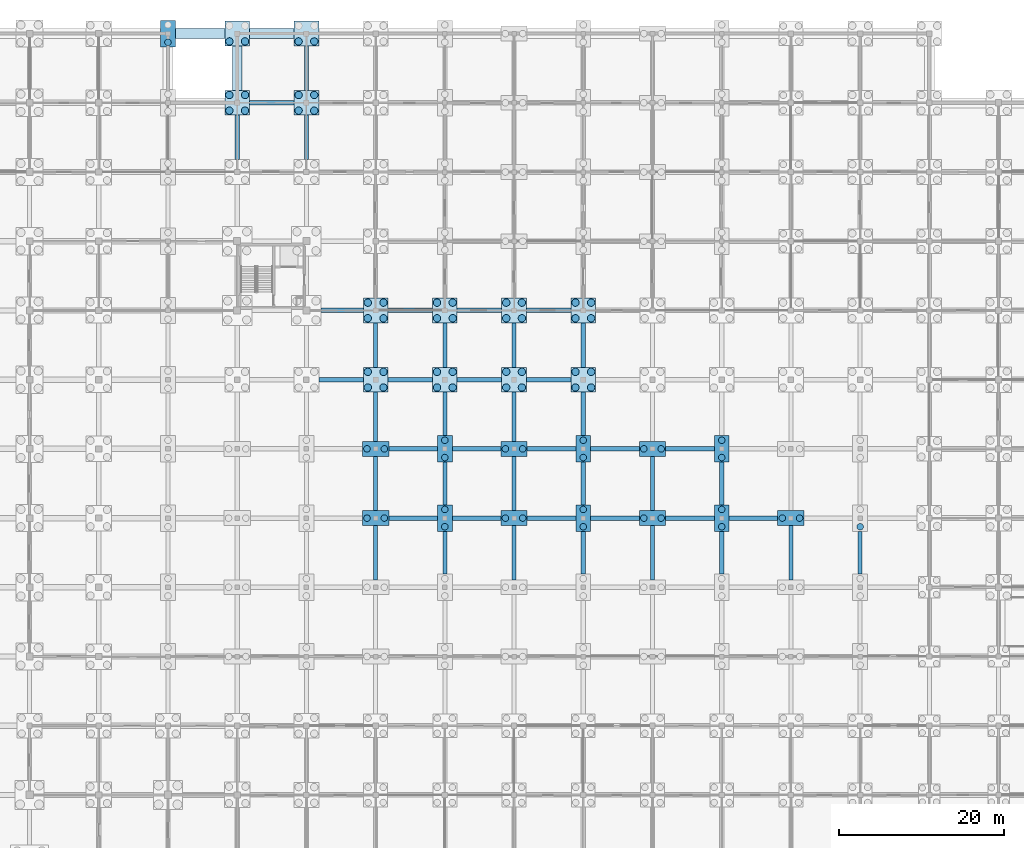
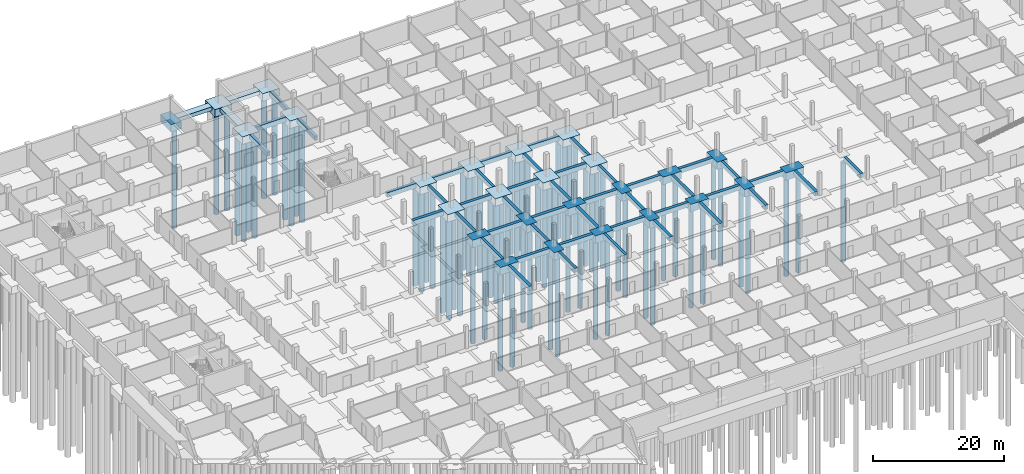
# One storey, part 9 of 43: 74 footings, 72 piles.
"""IFC4 building model written with IfcOpenShell, lengths in metres."""

from ifc_helpers import new_model, si_unit, direction, frame, origin, origin_2d, place, context, subcontext, project, spatial, rectangle, circle, extrude, material, material_profile, profile_set, type_object, element, save


model = new_model("IFC4")

# Units and contexts
model_context = context("Model", 3, precision=1e-05, world=origin(), true_north=direction((0.0, 1.0)))
body_context = subcontext(model_context, "Body", "Model", "MODEL_VIEW")
ifc_project = project(units=[si_unit("LENGTHUNIT", "METRE"), si_unit("AREAUNIT", "SQUARE_METRE"), si_unit("VOLUMEUNIT", "CUBIC_METRE"), si_unit("PLANEANGLEUNIT", "RADIAN"), si_unit("MASSUNIT", "GRAM", prefix="KILO")], contexts=[model_context])

# Site, building, storey
site_placement = place(None, origin())
site = spatial("IfcSite", under=ifc_project, at=site_placement, CompositionType="ELEMENT")
building_placement = place(site_placement, origin())
building = spatial("IfcBuilding", under=site, at=building_placement, Name="Varnapada Polytechnic", CompositionType="ELEMENT")
storey_placement = place(building_placement, frame((0.0, 0.0, -4.199951171875)))
storey = spatial("IfcBuildingStorey", under=building, at=storey_placement, Name="B1", CompositionType="ELEMENT", Elevation=-4.199951171875)

# Piles
ifc_material = material(Name="Concrete C40/50", Category="concrete")
ifc_material_profile_1 = material_profile(ifc_material, circle(Radius=0.39990234375, at=origin_2d()), Name="BP 800")
ifc_profile_set_1 = profile_set([ifc_material_profile_1], Name="Concrete C40/50")
pile_type_1 = type_object("IfcPileType", Name="Bored Pile BP 800", PredefinedType="BORED", material=ifc_profile_set_1)
for number, where, z_axis, x_axis, name in (
    (1, (42.0, 124.949951171875, -1.300048828125), (0.0, 0.0, -1.0), (1.0, 0.0, 0.0), "Bored pile P-03 under CAP-05-15 (1)"),
    (2, (66.14990234375, 67.199951171875, -1.300048828125), (0.0, 0.0, -1.0), (1.0, 0.0, 0.0), "Bored pile P-03 under CAP-08-08 (1)"),
    (3, (68.25, 67.199951171875, -1.300048828125), (0.0, 0.0, -1.0), (1.0, 0.0, 0.0), "Bored pile P-03 under CAP-08-08 (2)"),
    (4, (66.14990234375, 75.60009765625, -1.300048828125), (0.0, 0.0, -1.0), (1.0, 0.0, 0.0), "Bored pile P-03 under CAP-08-09 (1)"),
    (5, (68.25, 75.60009765625, -1.300048828125), (0.0, 0.0, -1.0), (1.0, 0.0, 0.0), "Bored pile P-03 under CAP-08-09 (2)"),
    (6, (75.60009765625, 66.14990234375, -1.300048828125), (0.0, 0.0, -1.0), (1.0, 0.0, 0.0), "Bored pile P-03 under CAP-09-08 (1)"),
    (7, (75.60009765625, 68.25, -1.300048828125), (0.0, 0.0, -1.0), (1.0, 0.0, 0.0), "Bored pile P-03 under CAP-09-08 (2)"),
    (8, (75.60009765625, 74.550048828125, -1.300048828125), (0.0, 0.0, -1.0), (1.0, 0.0, 0.0), "Bored pile P-03 under CAP-09-09 (1)"),
    (9, (75.60009765625, 76.64990234375, -1.300048828125), (0.0, 0.0, -1.0), (1.0, 0.0, 0.0), "Bored pile P-03 under CAP-09-09 (2)"),
    (10, (82.949951171875, 67.199951171875, -1.300048828125), (0.0, 0.0, -1.0), (1.0, 0.0, 0.0), "Bored pile P-03 under CAP-10-08 (1)"),
    (11, (85.050048828125, 67.199951171875, -1.300048828125), (0.0, 0.0, -1.0), (1.0, 0.0, 0.0), "Bored pile P-03 under CAP-10-08 (2)"),
    (12, (82.949951171875, 75.60009765625, -1.300048828125), (0.0, 0.0, -1.0), (1.0, 0.0, 0.0), "Bored pile P-03 under CAP-10-09 (1)"),
    (13, (85.050048828125, 75.60009765625, -1.300048828125), (0.0, 0.0, -1.0), (1.0, 0.0, 0.0), "Bored pile P-03 under CAP-10-09 (2)"),
    (14, (92.39990234375, 66.14990234375, -1.300048828125), (0.0, 0.0, -1.0), (1.0, 0.0, 0.0), "Bored pile P-03 under CAP-11-08 (1)"),
    (15, (92.39990234375, 68.25, -1.300048828125), (0.0, 0.0, -1.0), (1.0, 0.0, 0.0), "Bored pile P-03 under CAP-11-08 (2)"),
    (16, (92.39990234375, 74.550048828125, -1.300048828125), (0.0, 0.0, -1.0), (1.0, 0.0, 0.0), "Bored pile P-03 under CAP-11-09 (1)"),
    (17, (92.39990234375, 76.64990234375, -1.300048828125), (0.0, 0.0, -1.0), (1.0, 0.0, 0.0), "Bored pile P-03 under CAP-11-09 (2)"),
    (18, (99.75, 67.199951171875, -1.300048828125), (0.0, 0.0, -1.0), (1.0, 0.0, 0.0), "Bored pile P-03 under CAP-12-08 (1)"),
    (19, (101.85009765625, 67.199951171875, -1.300048828125), (0.0, 0.0, -1.0), (1.0, 0.0, 0.0), "Bored pile P-03 under CAP-12-08 (2)"),
    (20, (99.75, 75.60009765625, -1.300048828125), (0.0, 0.0, -1.0), (1.0, 0.0, 0.0), "Bored pile P-03 under CAP-12-09 (1)"),
    (21, (101.85009765625, 75.60009765625, -1.300048828125), (0.0, 0.0, -1.0), (1.0, 0.0, 0.0), "Bored pile P-03 under CAP-12-09 (2)"),
    (22, (109.199951171875, 66.14990234375, -1.300048828125), (0.0, 0.0, -1.0), (1.0, 0.0, 0.0), "Bored pile P-03 under CAP-13-08 (1)"),
    (23, (109.199951171875, 68.25, -1.300048828125), (0.0, 0.0, -1.0), (1.0, 0.0, 0.0), "Bored pile P-03 under CAP-13-08 (2)"),
    (24, (109.199951171875, 74.550048828125, -1.300048828125), (0.0, 0.0, -1.0), (1.0, 0.0, 0.0), "Bored pile P-03 under CAP-13-09 (1)"),
    (25, (109.199951171875, 76.64990234375, -1.300048828125), (0.0, 0.0, -1.0), (1.0, 0.0, 0.0), "Bored pile P-03 under CAP-13-09 (2)"),
    (26, (116.550048828125, 67.199951171875, -1.300048828125), (0.0, 0.0, -1.0), (1.0, 0.0, 0.0), "Bored pile P-03 under CAP-14-08 (1)"),
    (27, (118.64990234375, 67.199951171875, -1.300048828125), (0.0, 0.0, -1.0), (1.0, 0.0, 0.0), "Bored pile P-03 under CAP-14-08 (2)"),
    (28, (126.0, 66.14990234375, -1.300048828125), (0.0, 0.0, -1.0), (1.0, 0.0, 0.0), "Bored pile P-03 under CAP-15-08 (1)"),
):
    element("IfcPile", number, at=place(storey_placement, frame(where, z_axis=z_axis, x_axis=x_axis)), inside=storey, type_object=pile_type_1, Name=name, PredefinedType="BORED", context=body_context, shape_type="SweptSolid", body=[
        extrude(circle(Radius=0.39990234375, at=origin_2d()), origin(), (0.0, 0.0, 1.0), 18.5),
    ])
ifc_material_profile_2 = material_profile(ifc_material, circle(Radius=0.449951171875, at=origin_2d()), Name="BP 900")
ifc_profile_set_2 = profile_set([ifc_material_profile_2], Name="Concrete C40/50")
pile_type_2 = type_object("IfcPileType", Name="Bored Pile BP 900", PredefinedType="BORED", material=ifc_profile_set_2)
for number, where, z_axis, x_axis, name in (
    (29, (49.449951171875, 116.64990234375, -1.300048828125), (0.0, 0.0, -1.0), (1.0, 0.0, 0.0), "Bored pile P-02 under CAP-06-14 (1)"),
    (30, (51.35009765625, 116.64990234375, -1.300048828125), (0.0, 0.0, -1.0), (1.0, 0.0, 0.0), "Bored pile P-02 under CAP-06-14 (2)"),
    (31, (49.449951171875, 118.550048828125, -1.300048828125), (0.0, 0.0, -1.0), (1.0, 0.0, 0.0), "Bored pile P-02 under CAP-06-14 (3)"),
    (32, (51.35009765625, 118.550048828125, -1.300048828125), (0.0, 0.0, -1.0), (1.0, 0.0, 0.0), "Bored pile P-02 under CAP-06-14 (4)"),
    (33, (49.449951171875, 125.050048828125, -1.300048828125), (0.0, 0.0, -1.0), (1.0, 0.0, 0.0), "Bored pile P-02 under CAP-06-15 (1)"),
    (34, (51.35009765625, 125.050048828125, -1.300048828125), (0.0, 0.0, -1.0), (1.0, 0.0, 0.0), "Bored pile P-02 under CAP-06-15 (2)"),
    (35, (57.85009765625, 116.64990234375, -1.300048828125), (0.0, 0.0, -1.0), (1.0, 0.0, 0.0), "Bored pile P-02 under CAP-07-14 (1)"),
    (36, (59.75, 116.64990234375, -1.300048828125), (0.0, 0.0, -1.0), (1.0, 0.0, 0.0), "Bored pile P-02 under CAP-07-14 (2)"),
    (37, (57.85009765625, 118.550048828125, -1.300048828125), (0.0, 0.0, -1.0), (1.0, 0.0, 0.0), "Bored pile P-02 under CAP-07-14 (3)"),
    (38, (59.75, 118.550048828125, -1.300048828125), (0.0, 0.0, -1.0), (1.0, 0.0, 0.0), "Bored pile P-02 under CAP-07-14 (4)"),
    (39, (57.85009765625, 125.050048828125, -1.300048828125), (0.0, 0.0, -1.0), (1.0, 0.0, 0.0), "Bored pile P-02 under CAP-07-15 (1)"),
    (40, (59.75, 125.050048828125, -1.300048828125), (0.0, 0.0, -1.0), (1.0, 0.0, 0.0), "Bored pile P-02 under CAP-07-15 (2)"),
    (41, (66.25, 83.050048828125, -1.300048828125), (0.0, 0.0, -1.0), (1.0, 0.0, 0.0), "Bored pile P-02 under CAP-08-10 (1)"),
    (42, (68.14990234375, 83.050048828125, -1.300048828125), (0.0, 0.0, -1.0), (1.0, 0.0, 0.0), "Bored pile P-02 under CAP-08-10 (2)"),
    (43, (66.25, 84.949951171875, -1.300048828125), (0.0, 0.0, -1.0), (1.0, 0.0, 0.0), "Bored pile P-02 under CAP-08-10 (3)"),
    (44, (68.14990234375, 84.949951171875, -1.300048828125), (0.0, 0.0, -1.0), (1.0, 0.0, 0.0), "Bored pile P-02 under CAP-08-10 (4)"),
    (45, (66.25, 91.449951171875, -1.300048828125), (0.0, 0.0, -1.0), (1.0, 0.0, 0.0), "Bored pile P-02 under CAP-08-11 (1)"),
    (46, (68.14990234375, 91.449951171875, -1.300048828125), (0.0, 0.0, -1.0), (1.0, 0.0, 0.0), "Bored pile P-02 under CAP-08-11 (2)"),
    (47, (66.25, 93.35009765625, -1.300048828125), (0.0, 0.0, -1.0), (1.0, 0.0, 0.0), "Bored pile P-02 under CAP-08-11 (3)"),
    (48, (68.14990234375, 93.35009765625, -1.300048828125), (0.0, 0.0, -1.0), (1.0, 0.0, 0.0), "Bored pile P-02 under CAP-08-11 (4)"),
    (49, (74.64990234375, 83.050048828125, -1.300048828125), (0.0, 0.0, -1.0), (1.0, 0.0, 0.0), "Bored pile P-02 under CAP-09-10 (1)"),
    (50, (76.550048828125, 83.050048828125, -1.300048828125), (0.0, 0.0, -1.0), (1.0, 0.0, 0.0), "Bored pile P-02 under CAP-09-10 (2)"),
    (51, (74.64990234375, 84.949951171875, -1.300048828125), (0.0, 0.0, -1.0), (1.0, 0.0, 0.0), "Bored pile P-02 under CAP-09-10 (3)"),
    (52, (76.550048828125, 84.949951171875, -1.300048828125), (0.0, 0.0, -1.0), (1.0, 0.0, 0.0), "Bored pile P-02 under CAP-09-10 (4)"),
    (53, (74.64990234375, 91.449951171875, -1.300048828125), (0.0, 0.0, -1.0), (1.0, 0.0, 0.0), "Bored pile P-02 under CAP-09-11 (1)"),
    (54, (76.550048828125, 91.449951171875, -1.300048828125), (0.0, 0.0, -1.0), (1.0, 0.0, 0.0), "Bored pile P-02 under CAP-09-11 (2)"),
    (55, (74.64990234375, 93.35009765625, -1.300048828125), (0.0, 0.0, -1.0), (1.0, 0.0, 0.0), "Bored pile P-02 under CAP-09-11 (3)"),
    (56, (76.550048828125, 93.35009765625, -1.300048828125), (0.0, 0.0, -1.0), (1.0, 0.0, 0.0), "Bored pile P-02 under CAP-09-11 (4)"),
    (57, (83.050048828125, 83.050048828125, -1.300048828125), (0.0, 0.0, -1.0), (1.0, 0.0, 0.0), "Bored pile P-02 under CAP-10-10 (1)"),
    (58, (84.949951171875, 83.050048828125, -1.300048828125), (0.0, 0.0, -1.0), (1.0, 0.0, 0.0), "Bored pile P-02 under CAP-10-10 (2)"),
    (59, (83.050048828125, 84.949951171875, -1.300048828125), (0.0, 0.0, -1.0), (1.0, 0.0, 0.0), "Bored pile P-02 under CAP-10-10 (3)"),
    (60, (84.949951171875, 84.949951171875, -1.300048828125), (0.0, 0.0, -1.0), (1.0, 0.0, 0.0), "Bored pile P-02 under CAP-10-10 (4)"),
    (61, (83.050048828125, 91.449951171875, -1.300048828125), (0.0, 0.0, -1.0), (1.0, 0.0, 0.0), "Bored pile P-02 under CAP-10-11 (1)"),
    (62, (84.949951171875, 91.449951171875, -1.300048828125), (0.0, 0.0, -1.0), (1.0, 0.0, 0.0), "Bored pile P-02 under CAP-10-11 (2)"),
    (63, (83.050048828125, 93.35009765625, -1.300048828125), (0.0, 0.0, -1.0), (1.0, 0.0, 0.0), "Bored pile P-02 under CAP-10-11 (3)"),
    (64, (84.949951171875, 93.35009765625, -1.300048828125), (0.0, 0.0, -1.0), (1.0, 0.0, 0.0), "Bored pile P-02 under CAP-10-11 (4)"),
    (65, (91.449951171875, 83.050048828125, -1.300048828125), (0.0, 0.0, -1.0), (1.0, 0.0, 0.0), "Bored pile P-02 under CAP-11-10 (1)"),
    (66, (93.35009765625, 83.050048828125, -1.300048828125), (0.0, 0.0, -1.0), (1.0, 0.0, 0.0), "Bored pile P-02 under CAP-11-10 (2)"),
    (67, (91.449951171875, 84.949951171875, -1.300048828125), (0.0, 0.0, -1.0), (1.0, 0.0, 0.0), "Bored pile P-02 under CAP-11-10 (3)"),
    (68, (93.35009765625, 84.949951171875, -1.300048828125), (0.0, 0.0, -1.0), (1.0, 0.0, 0.0), "Bored pile P-02 under CAP-11-10 (4)"),
    (69, (91.449951171875, 91.449951171875, -1.300048828125), (0.0, 0.0, -1.0), (1.0, 0.0, 0.0), "Bored pile P-02 under CAP-11-11 (1)"),
    (70, (93.35009765625, 91.449951171875, -1.300048828125), (0.0, 0.0, -1.0), (1.0, 0.0, 0.0), "Bored pile P-02 under CAP-11-11 (2)"),
    (71, (91.449951171875, 93.35009765625, -1.300048828125), (0.0, 0.0, -1.0), (1.0, 0.0, 0.0), "Bored pile P-02 under CAP-11-11 (3)"),
    (72, (93.35009765625, 93.35009765625, -1.300048828125), (0.0, 0.0, -1.0), (1.0, 0.0, 0.0), "Bored pile P-02 under CAP-11-11 (4)"),
):
    element("IfcPile", number, at=place(storey_placement, frame(where, z_axis=z_axis, x_axis=x_axis)), inside=storey, type_object=pile_type_2, Name=name, PredefinedType="BORED", context=body_context, shape_type="SweptSolid", body=[
        extrude(circle(Radius=0.449951171875, at=origin_2d()), origin(), (0.0, 0.0, 1.0), 18.5),
    ])

# Footings
footing_type_1 = type_object("IfcFootingType", Name="Footing GB-02", PredefinedType="FOOTING_BEAM", material=ifc_material)
for number, where, z_axis, x_axis, name in (
    (73, (50.39990234375, 113.39990234375, -0.80029296875), (0.0, 0.0, 1.0), (0.0, 1.0, 0.0), "Ground footing beam GB-02 Y 14-15"),
    (74, (58.800048828125, 113.39990234375, -0.80029296875), (0.0, 0.0, 1.0), (0.0, 1.0, 0.0), "Ground footing beam GB-02 Y 14-15"),
    (75, (58.800048828125, 121.800048828125, -0.80029296875), (0.0, 0.0, 1.0), (0.0, 1.0, 0.0), "Ground footing beam GB-02 Y 15-16"),
):
    element("IfcFooting", number, at=place(storey_placement, frame(where, z_axis=z_axis, x_axis=x_axis)), inside=storey, type_object=footing_type_1, Name=name, PredefinedType="FOOTING_BEAM", context=body_context, shape_type="SweptSolid", body=[
        extrude(rectangle(XDim=5.39990234375, YDim=0.5, at=origin_2d()), origin(), (0.0, 0.0, 1.0), 0.800048828125),
    ])
for number, where, z_axis, x_axis, name in (
    (76, (67.199951171875, 63.0, -0.80029296875), (0.0, 0.0, 1.0), (0.0, 1.0, 0.0), "Ground footing beam GB-02 Y 8-9"),
    (77, (67.199951171875, 71.39990234375, -0.80029296875), (0.0, 0.0, 1.0), (0.0, 1.0, 0.0), "Ground footing beam GB-02 Y 9-10"),
):
    element("IfcFooting", number, at=place(storey_placement, frame(where, z_axis=z_axis, x_axis=x_axis)), inside=storey, type_object=footing_type_1, Name=name, PredefinedType="FOOTING_BEAM", context=body_context, shape_type="SweptSolid", body=[
        extrude(rectangle(XDim=6.60009765625, YDim=0.5, at=origin_2d()), origin(), (0.0, 0.0, 1.0), 0.800048828125),
    ])
footing_1_placement = place(storey_placement, frame((67.199951171875, 79.5, -0.80029296875), z_axis=(0.0, 0.0, 1.0), x_axis=(0.0, 1.0, 0.0)))
element("IfcFooting", 78, at=footing_1_placement, inside=storey, type_object=footing_type_1, Name="Ground footing beam GB-02 Y 10-11", PredefinedType="FOOTING_BEAM", context=body_context, shape_type="SweptSolid", body=[
    extrude(rectangle(XDim=6.0, YDim=0.5, at=origin_2d()), origin(), (0.0, 0.0, 1.0), 0.800048828125),
])
footing_2_placement = place(storey_placement, frame((67.199951171875, 88.199951171875, -0.80029296875), z_axis=(0.0, 0.0, 1.0), x_axis=(0.0, 1.0, 0.0)))
element("IfcFooting", 79, at=footing_2_placement, inside=storey, type_object=footing_type_1, Name="Ground footing beam GB-02 Y 11-12", PredefinedType="FOOTING_BEAM", context=body_context, shape_type="SweptSolid", body=[
    extrude(rectangle(XDim=5.39990234375, YDim=0.5, at=origin_2d()), origin(), (0.0, 0.0, 1.0), 0.800048828125),
])
for number, where, z_axis, x_axis, name in (
    (80, (75.60009765625, 63.0, -0.80029296875), (0.0, 0.0, 1.0), (0.0, 1.0, 0.0), "Ground footing beam GB-02 Y 8-9"),
    (81, (75.60009765625, 71.39990234375, -0.80029296875), (0.0, 0.0, 1.0), (0.0, 1.0, 0.0), "Ground footing beam GB-02 Y 9-10"),
):
    element("IfcFooting", number, at=place(storey_placement, frame(where, z_axis=z_axis, x_axis=x_axis)), inside=storey, type_object=footing_type_1, Name=name, PredefinedType="FOOTING_BEAM", context=body_context, shape_type="SweptSolid", body=[
        extrude(rectangle(XDim=5.199951171875, YDim=0.5, at=origin_2d()), origin(), (0.0, 0.0, 1.0), 0.800048828125),
    ])
footing_3_placement = place(storey_placement, frame((75.60009765625, 79.85009765625, -0.80029296875), z_axis=(0.0, 0.0, 1.0), x_axis=(0.0, 1.0, 0.0)))
element("IfcFooting", 82, at=footing_3_placement, inside=storey, type_object=footing_type_1, Name="Ground footing beam GB-02 Y 10-11", PredefinedType="FOOTING_BEAM", context=body_context, shape_type="SweptSolid", body=[
    extrude(rectangle(XDim=5.300048828125, YDim=0.5, at=origin_2d()), origin(), (0.0, 0.0, 1.0), 0.800048828125),
])
footing_4_placement = place(storey_placement, frame((75.60009765625, 88.199951171875, -0.80029296875), z_axis=(0.0, 0.0, 1.0), x_axis=(0.0, 1.0, 0.0)))
element("IfcFooting", 83, at=footing_4_placement, inside=storey, type_object=footing_type_1, Name="Ground footing beam GB-02 Y 11-12", PredefinedType="FOOTING_BEAM", context=body_context, shape_type="SweptSolid", body=[
    extrude(rectangle(XDim=5.39990234375, YDim=0.5, at=origin_2d()), origin(), (0.0, 0.0, 1.0), 0.800048828125),
])
for number, where, z_axis, x_axis, name in (
    (84, (84.0, 63.0, -0.80029296875), (0.0, 0.0, 1.0), (0.0, 1.0, 0.0), "Ground footing beam GB-02 Y 8-9"),
    (85, (84.0, 71.39990234375, -0.80029296875), (0.0, 0.0, 1.0), (0.0, 1.0, 0.0), "Ground footing beam GB-02 Y 9-10"),
):
    element("IfcFooting", number, at=place(storey_placement, frame(where, z_axis=z_axis, x_axis=x_axis)), inside=storey, type_object=footing_type_1, Name=name, PredefinedType="FOOTING_BEAM", context=body_context, shape_type="SweptSolid", body=[
        extrude(rectangle(XDim=6.60009765625, YDim=0.5, at=origin_2d()), origin(), (0.0, 0.0, 1.0), 0.800048828125),
    ])
footing_5_placement = place(storey_placement, frame((84.0, 79.5, -0.80029296875), z_axis=(0.0, 0.0, 1.0), x_axis=(0.0, 1.0, 0.0)))
element("IfcFooting", 86, at=footing_5_placement, inside=storey, type_object=footing_type_1, Name="Ground footing beam GB-02 Y 10-11", PredefinedType="FOOTING_BEAM", context=body_context, shape_type="SweptSolid", body=[
    extrude(rectangle(XDim=6.0, YDim=0.5, at=origin_2d()), origin(), (0.0, 0.0, 1.0), 0.800048828125),
])
footing_6_placement = place(storey_placement, frame((84.0, 88.199951171875, -0.80029296875), z_axis=(0.0, 0.0, 1.0), x_axis=(0.0, 1.0, 0.0)))
element("IfcFooting", 87, at=footing_6_placement, inside=storey, type_object=footing_type_1, Name="Ground footing beam GB-02 Y 11-12", PredefinedType="FOOTING_BEAM", context=body_context, shape_type="SweptSolid", body=[
    extrude(rectangle(XDim=5.39990234375, YDim=0.5, at=origin_2d()), origin(), (0.0, 0.0, 1.0), 0.800048828125),
])
for number, where, z_axis, x_axis, name in (
    (88, (92.39990234375, 63.0, -0.80029296875), (0.0, 0.0, 1.0), (0.0, 1.0, 0.0), "Ground footing beam GB-02 Y 8-9"),
    (89, (92.39990234375, 71.39990234375, -0.80029296875), (0.0, 0.0, 1.0), (0.0, 1.0, 0.0), "Ground footing beam GB-02 Y 9-10"),
):
    element("IfcFooting", number, at=place(storey_placement, frame(where, z_axis=z_axis, x_axis=x_axis)), inside=storey, type_object=footing_type_1, Name=name, PredefinedType="FOOTING_BEAM", context=body_context, shape_type="SweptSolid", body=[
        extrude(rectangle(XDim=5.199951171875, YDim=0.5, at=origin_2d()), origin(), (0.0, 0.0, 1.0), 0.800048828125),
    ])
footing_7_placement = place(storey_placement, frame((92.39990234375, 79.85009765625, -0.80029296875), z_axis=(0.0, 0.0, 1.0), x_axis=(0.0, 1.0, 0.0)))
element("IfcFooting", 90, at=footing_7_placement, inside=storey, type_object=footing_type_1, Name="Ground footing beam GB-02 Y 10-11", PredefinedType="FOOTING_BEAM", context=body_context, shape_type="SweptSolid", body=[
    extrude(rectangle(XDim=5.300048828125, YDim=0.5, at=origin_2d()), origin(), (0.0, 0.0, 1.0), 0.800048828125),
])
footing_8_placement = place(storey_placement, frame((92.39990234375, 88.199951171875, -0.80029296875), z_axis=(0.0, 0.0, 1.0), x_axis=(0.0, 1.0, 0.0)))
element("IfcFooting", 91, at=footing_8_placement, inside=storey, type_object=footing_type_1, Name="Ground footing beam GB-02 Y 11-12", PredefinedType="FOOTING_BEAM", context=body_context, shape_type="SweptSolid", body=[
    extrude(rectangle(XDim=5.39990234375, YDim=0.5, at=origin_2d()), origin(), (0.0, 0.0, 1.0), 0.800048828125),
])
for number, where, z_axis, x_axis, name in (
    (92, (100.800048828125, 63.0, -0.80029296875), (0.0, 0.0, 1.0), (0.0, 1.0, 0.0), "Ground footing beam GB-02 Y 8-9"),
    (93, (100.800048828125, 71.39990234375, -0.80029296875), (0.0, 0.0, 1.0), (0.0, 1.0, 0.0), "Ground footing beam GB-02 Y 9-10"),
):
    element("IfcFooting", number, at=place(storey_placement, frame(where, z_axis=z_axis, x_axis=x_axis)), inside=storey, type_object=footing_type_1, Name=name, PredefinedType="FOOTING_BEAM", context=body_context, shape_type="SweptSolid", body=[
        extrude(rectangle(XDim=6.60009765625, YDim=0.5, at=origin_2d()), origin(), (0.0, 0.0, 1.0), 0.800048828125),
    ])
for number, where, z_axis, x_axis, name in (
    (94, (109.199951171875, 63.0, -0.80029296875), (0.0, 0.0, 1.0), (0.0, 1.0, 0.0), "Ground footing beam GB-02 Y 8-9"),
    (95, (109.199951171875, 71.39990234375, -0.80029296875), (0.0, 0.0, 1.0), (0.0, 1.0, 0.0), "Ground footing beam GB-02 Y 9-10"),
):
    element("IfcFooting", number, at=place(storey_placement, frame(where, z_axis=z_axis, x_axis=x_axis)), inside=storey, type_object=footing_type_1, Name=name, PredefinedType="FOOTING_BEAM", context=body_context, shape_type="SweptSolid", body=[
        extrude(rectangle(XDim=5.199951171875, YDim=0.5, at=origin_2d()), origin(), (0.0, 0.0, 1.0), 0.800048828125),
    ])
footing_9_placement = place(storey_placement, frame((117.60009765625, 63.0, -0.80029296875), z_axis=(0.0, 0.0, 1.0), x_axis=(0.0, 1.0, 0.0)))
element("IfcFooting", 96, at=footing_9_placement, inside=storey, type_object=footing_type_1, Name="Ground footing beam GB-02 Y 8-9", PredefinedType="FOOTING_BEAM", context=body_context, shape_type="SweptSolid", body=[
    extrude(rectangle(XDim=6.60009765625, YDim=0.5, at=origin_2d()), origin(), (0.0, 0.0, 1.0), 0.800048828125),
])
footing_10_placement = place(storey_placement, frame((126.0, 63.0, -0.80029296875), z_axis=(0.0, 0.0, 1.0), x_axis=(0.0, 1.0, 0.0)))
element("IfcFooting", 97, at=footing_10_placement, inside=storey, type_object=footing_type_1, Name="Ground footing beam GB-02 Y 8-9", PredefinedType="FOOTING_BEAM", context=body_context, shape_type="SweptSolid", body=[
    extrude(rectangle(XDim=5.199951171875, YDim=0.5, at=origin_2d()), origin(), (0.0, 0.0, 1.0), 0.800048828125),
])
footing_type_2 = type_object("IfcFootingType", Name="Footing GB-04", PredefinedType="FOOTING_BEAM", material=ifc_material)
for number, where, z_axis, x_axis, name in (
    (98, (54.60009765625, 117.60009765625, -0.85009765625), (0.0, 0.0, 1.0), (1.0, 0.0, 0.0), "Ground footing beam GB-04 X 7-8"),
    (99, (63.0, 84.0, -0.85009765625), (0.0, 0.0, 1.0), (1.0, 0.0, 0.0), "Ground footing beam GB-04 X 8-9"),
):
    element("IfcFooting", number, at=place(storey_placement, frame(where, z_axis=z_axis, x_axis=x_axis)), inside=storey, type_object=footing_type_2, Name=name, PredefinedType="FOOTING_BEAM", context=body_context, shape_type="SweptSolid", body=[
        extrude(rectangle(XDim=5.39990234375, YDim=0.550048828125, at=origin_2d()), origin(), (0.0, 0.0, 1.0), 0.85009765625),
    ])
footing_11_placement = place(storey_placement, frame((63.14990234375, 92.39990234375, -0.85009765625), z_axis=(0.0, 0.0, 1.0), x_axis=(1.0, 0.0, 0.0)))
element("IfcFooting", 100, at=footing_11_placement, inside=storey, type_object=footing_type_2, Name="Ground footing beam GB-04 X 8-9", PredefinedType="FOOTING_BEAM", context=body_context, shape_type="SweptSolid", body=[
    extrude(rectangle(XDim=5.10009765625, YDim=0.550048828125, at=origin_2d()), origin(), (0.0, 0.0, 1.0), 0.85009765625),
])
for number, where, z_axis, x_axis, name in (
    (101, (71.75, 67.199951171875, -0.85009765625), (0.0, 0.0, 1.0), (1.0, 0.0, 0.0), "Ground footing beam GB-04 X 9-10"),
    (102, (71.75, 75.60009765625, -0.85009765625), (0.0, 0.0, 1.0), (1.0, 0.0, 0.0), "Ground footing beam GB-04 X 9-10"),
):
    element("IfcFooting", number, at=place(storey_placement, frame(where, z_axis=z_axis, x_axis=x_axis)), inside=storey, type_object=footing_type_2, Name=name, PredefinedType="FOOTING_BEAM", context=body_context, shape_type="SweptSolid", body=[
        extrude(rectangle(XDim=5.89990234375, YDim=0.550048828125, at=origin_2d()), origin(), (0.0, 0.0, 1.0), 0.85009765625),
    ])
for number, where, z_axis, x_axis, name in (
    (103, (71.39990234375, 84.0, -0.85009765625), (0.0, 0.0, 1.0), (1.0, 0.0, 0.0), "Ground footing beam GB-04 X 9-10"),
    (104, (71.39990234375, 92.39990234375, -0.85009765625), (0.0, 0.0, 1.0), (1.0, 0.0, 0.0), "Ground footing beam GB-04 X 9-10"),
):
    element("IfcFooting", number, at=place(storey_placement, frame(where, z_axis=z_axis, x_axis=x_axis)), inside=storey, type_object=footing_type_2, Name=name, PredefinedType="FOOTING_BEAM", context=body_context, shape_type="SweptSolid", body=[
        extrude(rectangle(XDim=5.39990234375, YDim=0.550048828125, at=origin_2d()), origin(), (0.0, 0.0, 1.0), 0.85009765625),
    ])
for number, where, z_axis, x_axis, name in (
    (105, (79.449951171875, 67.199951171875, -0.85009765625), (0.0, 0.0, 1.0), (1.0, 0.0, 0.0), "Ground footing beam GB-04 X 10-11"),
    (106, (79.449951171875, 75.60009765625, -0.85009765625), (0.0, 0.0, 1.0), (1.0, 0.0, 0.0), "Ground footing beam GB-04 X 10-11"),
):
    element("IfcFooting", number, at=place(storey_placement, frame(where, z_axis=z_axis, x_axis=x_axis)), inside=storey, type_object=footing_type_2, Name=name, PredefinedType="FOOTING_BEAM", context=body_context, shape_type="SweptSolid", body=[
        extrude(rectangle(XDim=5.89990234375, YDim=0.550048828125, at=origin_2d()), origin(), (0.0, 0.0, 1.0), 0.85009765625),
    ])
for number, where, z_axis, x_axis, name in (
    (107, (79.800048828125, 84.0, -0.85009765625), (0.0, 0.0, 1.0), (1.0, 0.0, 0.0), "Ground footing beam GB-04 X 10-11"),
    (108, (79.800048828125, 92.39990234375, -0.85009765625), (0.0, 0.0, 1.0), (1.0, 0.0, 0.0), "Ground footing beam GB-04 X 10-11"),
):
    element("IfcFooting", number, at=place(storey_placement, frame(where, z_axis=z_axis, x_axis=x_axis)), inside=storey, type_object=footing_type_2, Name=name, PredefinedType="FOOTING_BEAM", context=body_context, shape_type="SweptSolid", body=[
        extrude(rectangle(XDim=5.39990234375, YDim=0.550048828125, at=origin_2d()), origin(), (0.0, 0.0, 1.0), 0.85009765625),
    ])
for number, where, z_axis, x_axis, name in (
    (109, (88.550048828125, 67.199951171875, -0.85009765625), (0.0, 0.0, 1.0), (1.0, 0.0, 0.0), "Ground footing beam GB-04 X 11-12"),
    (110, (88.550048828125, 75.60009765625, -0.85009765625), (0.0, 0.0, 1.0), (1.0, 0.0, 0.0), "Ground footing beam GB-04 X 11-12"),
):
    element("IfcFooting", number, at=place(storey_placement, frame(where, z_axis=z_axis, x_axis=x_axis)), inside=storey, type_object=footing_type_2, Name=name, PredefinedType="FOOTING_BEAM", context=body_context, shape_type="SweptSolid", body=[
        extrude(rectangle(XDim=5.89990234375, YDim=0.550048828125, at=origin_2d()), origin(), (0.0, 0.0, 1.0), 0.85009765625),
    ])
for number, where, z_axis, x_axis, name in (
    (111, (88.199951171875, 84.0, -0.85009765625), (0.0, 0.0, 1.0), (1.0, 0.0, 0.0), "Ground footing beam GB-04 X 11-12"),
    (112, (88.199951171875, 92.39990234375, -0.85009765625), (0.0, 0.0, 1.0), (1.0, 0.0, 0.0), "Ground footing beam GB-04 X 11-12"),
):
    element("IfcFooting", number, at=place(storey_placement, frame(where, z_axis=z_axis, x_axis=x_axis)), inside=storey, type_object=footing_type_2, Name=name, PredefinedType="FOOTING_BEAM", context=body_context, shape_type="SweptSolid", body=[
        extrude(rectangle(XDim=5.39990234375, YDim=0.550048828125, at=origin_2d()), origin(), (0.0, 0.0, 1.0), 0.85009765625),
    ])
for number, where, z_axis, x_axis, name in (
    (113, (96.25, 67.199951171875, -0.85009765625), (0.0, 0.0, 1.0), (1.0, 0.0, 0.0), "Ground footing beam GB-04 X 12-13"),
    (114, (96.25, 75.60009765625, -0.85009765625), (0.0, 0.0, 1.0), (1.0, 0.0, 0.0), "Ground footing beam GB-04 X 12-13"),
    (115, (105.35009765625, 67.199951171875, -0.85009765625), (0.0, 0.0, 1.0), (1.0, 0.0, 0.0), "Ground footing beam GB-04 X 13-14"),
    (116, (105.35009765625, 75.60009765625, -0.85009765625), (0.0, 0.0, 1.0), (1.0, 0.0, 0.0), "Ground footing beam GB-04 X 13-14"),
    (117, (113.050048828125, 67.199951171875, -0.85009765625), (0.0, 0.0, 1.0), (1.0, 0.0, 0.0), "Ground footing beam GB-04 X 14-15"),
):
    element("IfcFooting", number, at=place(storey_placement, frame(where, z_axis=z_axis, x_axis=x_axis)), inside=storey, type_object=footing_type_2, Name=name, PredefinedType="FOOTING_BEAM", context=body_context, shape_type="SweptSolid", body=[
        extrude(rectangle(XDim=5.89990234375, YDim=0.550048828125, at=origin_2d()), origin(), (0.0, 0.0, 1.0), 0.85009765625),
    ])
footing_type_3 = type_object("IfcFootingType", Name="Footing PC-03", PredefinedType="PILE_CAP", material=ifc_material)
for number, where, z_axis, x_axis, name in (
    (118, (50.39990234375, 117.60009765625, -1.39990234375), (0.0, 0.0, 1.0), (1.0, 0.0, 0.0), "Pile cap PC-03 at grid 7/15"),
    (119, (50.39990234375, 126.0, -1.39990234375), (0.0, 0.0, 1.0), (1.0, 0.0, 0.0), "Pile cap PC-03 at grid 7/16"),
    (120, (58.800048828125, 117.60009765625, -1.39990234375), (0.0, 0.0, 1.0), (1.0, 0.0, 0.0), "Pile cap PC-03 at grid 8/15"),
    (121, (58.800048828125, 126.0, -1.39990234375), (0.0, 0.0, 1.0), (1.0, 0.0, 0.0), "Pile cap PC-03 at grid 8/16"),
    (122, (67.199951171875, 84.0, -1.39990234375), (0.0, 0.0, 1.0), (1.0, 0.0, 0.0), "Pile cap PC-03 at grid 9/11"),
    (123, (67.199951171875, 92.39990234375, -1.39990234375), (0.0, 0.0, 1.0), (1.0, 0.0, 0.0), "Pile cap PC-03 at grid 9/12"),
    (124, (75.60009765625, 84.0, -1.39990234375), (0.0, 0.0, 1.0), (1.0, 0.0, 0.0), "Pile cap PC-03 at grid 10/11"),
    (125, (75.60009765625, 92.39990234375, -1.39990234375), (0.0, 0.0, 1.0), (1.0, 0.0, 0.0), "Pile cap PC-03 at grid 10/12"),
    (126, (84.0, 84.0, -1.39990234375), (0.0, 0.0, 1.0), (1.0, 0.0, 0.0), "Pile cap PC-03 at grid 11/11"),
    (127, (84.0, 92.39990234375, -1.39990234375), (0.0, 0.0, 1.0), (1.0, 0.0, 0.0), "Pile cap PC-03 at grid 11/12"),
    (128, (92.39990234375, 84.0, -1.39990234375), (0.0, 0.0, 1.0), (1.0, 0.0, 0.0), "Pile cap PC-03 at grid 12/11"),
    (129, (92.39990234375, 92.39990234375, -1.39990234375), (0.0, 0.0, 1.0), (1.0, 0.0, 0.0), "Pile cap PC-03 at grid 12/12"),
):
    element("IfcFooting", number, at=place(storey_placement, frame(where, z_axis=z_axis, x_axis=x_axis)), inside=storey, type_object=footing_type_3, Name=name, PredefinedType="PILE_CAP", context=body_context, shape_type="SweptSolid", body=[
        extrude(rectangle(XDim=3.0, YDim=3.0, at=origin_2d()), origin(), (0.0, 0.0, 1.0), 1.39990234375),
    ])
footing_type_4 = type_object("IfcFootingType", Name="Footing PC-04", PredefinedType="PILE_CAP", material=ifc_material)
for number, where, z_axis, x_axis, name in (
    (130, (67.199951171875, 67.199951171875, -1.39990234375), (0.0, 0.0, 1.0), (1.0, 0.0, 0.0), "Pile cap PC-04 at grid 9/9"),
    (131, (67.199951171875, 75.60009765625, -1.39990234375), (0.0, 0.0, 1.0), (1.0, 0.0, 0.0), "Pile cap PC-04 at grid 9/10"),
    (132, (84.0, 67.199951171875, -1.39990234375), (0.0, 0.0, 1.0), (1.0, 0.0, 0.0), "Pile cap PC-04 at grid 11/9"),
    (133, (84.0, 75.60009765625, -1.39990234375), (0.0, 0.0, 1.0), (1.0, 0.0, 0.0), "Pile cap PC-04 at grid 11/10"),
    (134, (100.800048828125, 67.199951171875, -1.39990234375), (0.0, 0.0, 1.0), (1.0, 0.0, 0.0), "Pile cap PC-04 at grid 13/9"),
    (135, (100.800048828125, 75.60009765625, -1.39990234375), (0.0, 0.0, 1.0), (1.0, 0.0, 0.0), "Pile cap PC-04 at grid 13/10"),
    (136, (117.60009765625, 67.199951171875, -1.39990234375), (0.0, 0.0, 1.0), (1.0, 0.0, 0.0), "Pile cap PC-04 at grid 15/9"),
):
    element("IfcFooting", number, at=place(storey_placement, frame(where, z_axis=z_axis, x_axis=x_axis)), inside=storey, type_object=footing_type_4, Name=name, PredefinedType="PILE_CAP", context=body_context, shape_type="SweptSolid", body=[
        extrude(rectangle(XDim=3.199951171875, YDim=1.800048828125, at=origin_2d()), origin(), (0.0, 0.0, 1.0), 1.39990234375),
    ])
footing_type_5 = type_object("IfcFootingType", Name="Footing PC-05", PredefinedType="PILE_CAP", material=ifc_material)
for number, where, z_axis, x_axis, name in (
    (137, (42.0, 126.0, -1.39990234375), (0.0, 0.0, 1.0), (1.0, 0.0, 0.0), "Pile cap PC-05 at grid 6/16"),
    (138, (75.60009765625, 67.199951171875, -1.39990234375), (0.0, 0.0, 1.0), (1.0, 0.0, 0.0), "Pile cap PC-05 at grid 10/9"),
    (139, (75.60009765625, 75.60009765625, -1.39990234375), (0.0, 0.0, 1.0), (1.0, 0.0, 0.0), "Pile cap PC-05 at grid 10/10"),
    (140, (92.39990234375, 67.199951171875, -1.39990234375), (0.0, 0.0, 1.0), (1.0, 0.0, 0.0), "Pile cap PC-05 at grid 12/9"),
    (141, (92.39990234375, 75.60009765625, -1.39990234375), (0.0, 0.0, 1.0), (1.0, 0.0, 0.0), "Pile cap PC-05 at grid 12/10"),
    (142, (109.199951171875, 67.199951171875, -1.39990234375), (0.0, 0.0, 1.0), (1.0, 0.0, 0.0), "Pile cap PC-05 at grid 14/9"),
    (143, (109.199951171875, 75.60009765625, -1.39990234375), (0.0, 0.0, 1.0), (1.0, 0.0, 0.0), "Pile cap PC-05 at grid 14/10"),
):
    element("IfcFooting", number, at=place(storey_placement, frame(where, z_axis=z_axis, x_axis=x_axis)), inside=storey, type_object=footing_type_5, Name=name, PredefinedType="PILE_CAP", context=body_context, shape_type="SweptSolid", body=[
        extrude(rectangle(XDim=1.800048828125, YDim=3.199951171875, at=origin_2d()), origin(), (0.0, 0.0, 1.0), 1.39990234375),
    ])
footing_type_6 = type_object("IfcFootingType", Name="Footing SF-01", PredefinedType="STRIP_FOOTING", material=ifc_material)
footing_12_placement = place(storey_placement, frame((45.89990234375, 126.0, -0.7001953125), z_axis=(0.0, 0.0, 1.0), x_axis=(1.0, 0.0, 0.0)))
element("IfcFooting", 144, at=footing_12_placement, inside=storey, type_object=footing_type_6, Name="Ground footing beam SF-01 X 6-7", PredefinedType="STRIP_FOOTING", context=body_context, shape_type="SweptSolid", body=[
    extrude(rectangle(XDim=6.0, YDim=1.199951171875, at=origin_2d()), origin(), (0.0, 0.0, 1.0), 0.699951171875),
])
for number, where, z_axis, x_axis, name in (
    (145, (50.39990234375, 121.800048828125, -0.7001953125), (0.0, 0.0, 1.0), (0.0, 1.0, 0.0), "Ground footing beam SF-01 Y 15-16"),
    (146, (54.60009765625, 126.0, -0.7001953125), (0.0, 0.0, 1.0), (1.0, 0.0, 0.0), "Ground footing beam SF-01 X 7-8"),
):
    element("IfcFooting", number, at=place(storey_placement, frame(where, z_axis=z_axis, x_axis=x_axis)), inside=storey, type_object=footing_type_6, Name=name, PredefinedType="STRIP_FOOTING", context=body_context, shape_type="SweptSolid", body=[
        extrude(rectangle(XDim=5.39990234375, YDim=1.199951171875, at=origin_2d()), origin(), (0.0, 0.0, 1.0), 0.699951171875),
    ])

save(model, "model.ifc")
